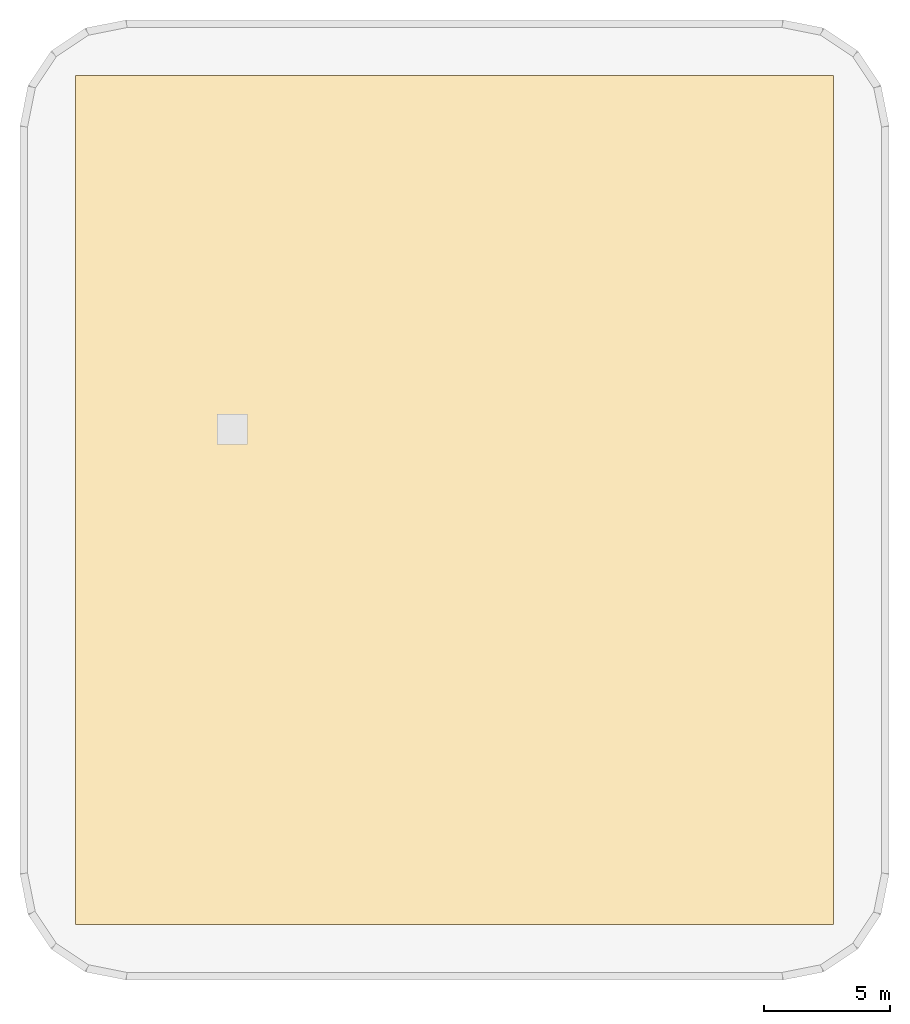
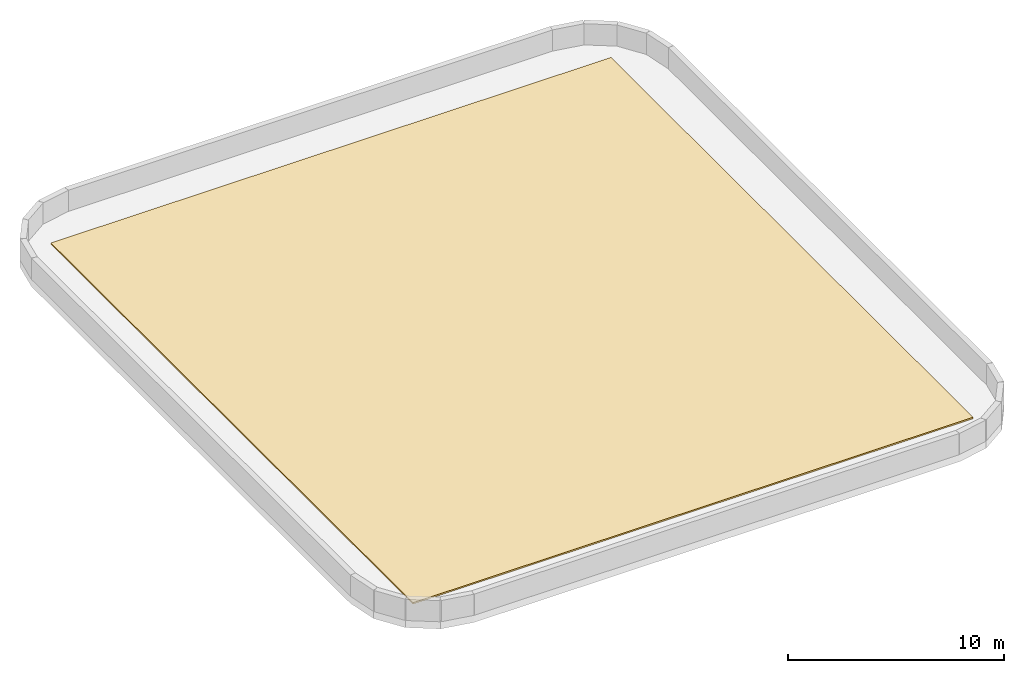
# One storey, part 2 of 2: 1 covering.
"""IFC4 building model written with IfcOpenShell, lengths in metres."""

from ifc_helpers import new_model, si_unit, direction, frame, origin, place, context, subcontext, project, spatial, polyline, outline, extrude, material, layer, layer_set, type_object, element, save


model = new_model("IFC4")

# Units and contexts
model_context = context("Model", 3, precision=1e-05, world=origin(), true_north=direction((0.0, 1.0)))
body_context = subcontext(model_context, "Body", "Model", "MODEL_VIEW")
ifc_project = project(units=[si_unit("LENGTHUNIT", "METRE"), si_unit("AREAUNIT", "SQUARE_METRE"), si_unit("VOLUMEUNIT", "CUBIC_METRE"), si_unit("PLANEANGLEUNIT", "RADIAN"), si_unit("MASSUNIT", "GRAM", prefix="KILO")], contexts=[model_context])

# Site, building, storey
site_placement = place(None, origin())
site = spatial("IfcSite", under=ifc_project, at=site_placement, CompositionType="ELEMENT")
building_placement = place(site_placement, origin())
building = spatial("IfcBuilding", under=site, at=building_placement, Name="Tolvann Quenvar Hotel", CompositionType="ELEMENT")
storey_placement = place(building_placement, frame((0.0, 0.0, 313.75)))
storey = spatial("IfcBuildingStorey", under=building, at=storey_placement, Name="RF", CompositionType="ELEMENT", Elevation=313.75)

# Covering
ifc_material = material(Name="Elastomeric SBS waterproof roofing membrane and rigid insulation")
ifc_layer = layer(ifc_material, 0.080078125)
ifc_layer_set = layer_set([ifc_layer], Name="Elastomeric SBS waterproof roofing membrane and rigid insulation")
covering_type = type_object("IfcCoveringType", Name="COV_ROOF_MEMB_80", PredefinedType="ROOFING", material=ifc_layer_set)
covering_placement = place(storey_placement, origin())
element("IfcCovering", 1, at=covering_placement, inside=storey, type_object=covering_type, Name="Waterproof Roof Membrane (ROOFING-RF-MAIN)", PredefinedType="ROOFING", context=body_context, shape_type="SweptSolid", body=[
    extrude(outline(polyline([(5.800048828125, 8.39990234375), (35.800048828125, 8.39990234375), (35.800048828125, 42.0), (5.800048828125, 42.0), (5.800048828125, 8.39990234375)])), origin(), (0.0, 0.0, 1.0), 0.080078125),
])

save(model, "model.ifc")
